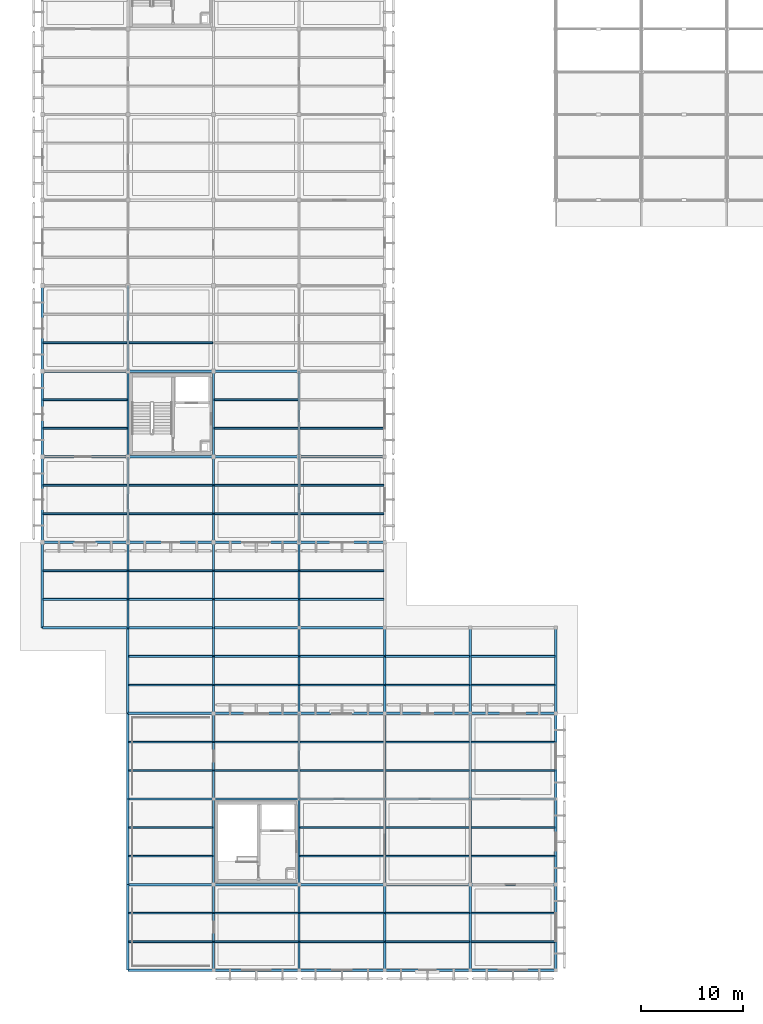
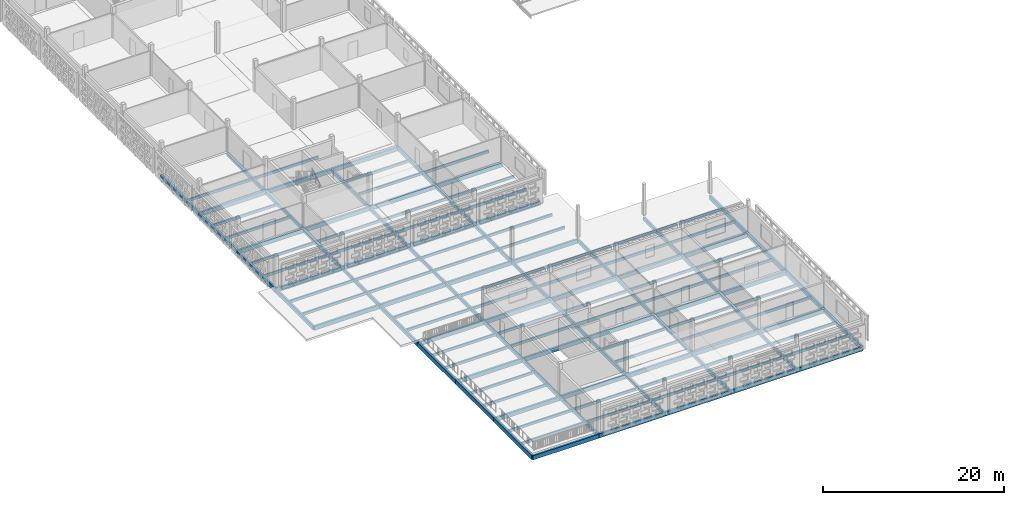
# One storey, part 4 of 103: 134 beams.
"""IFC4 building model written with IfcOpenShell, lengths in metres."""

import ifcopenshell
import ifcopenshell.guid

model = None  # the IFC model being written
_history = None  # IfcOwnerHistory: only IFC2X3 demands one
_inside = {}  # id of a spatial element -> (the spatial element, [elements in it])
_under = {}  # id of a project, library or spatial element -> (it, [spatial elements below it])
_declared = {}  # id of a project -> (the project, [libraries it declares])
_typed = {}  # id of a type object -> (the type object, [elements of that type])
_made_of = {}  # id of a material, layer set ... -> (it, [elements and type objects made of it])


def new_model(schema):
    """Start an empty IFC model of exactly this schema.

    Asked for "IFC4X3", IfcOpenShell would pick the latest addendum, in which some entities
    have other attributes; the version numbers below select the first issue.
    IFC2X3 requires an IfcOwnerHistory on every rooted entity: one is made here for all.
    """
    global model, _history
    if schema == "IFC4X3":
        model = ifcopenshell.file(schema_version=(4, 3, 0, 0))
    else:
        model = ifcopenshell.file(schema=schema)
    _inside.clear()
    _under.clear()
    _declared.clear()
    _typed.clear()
    _made_of.clear()
    _history = None
    if model.schema == "IFC2X3":
        org = make("IfcOrganization", Name="unknown")
        user = make(
            "IfcPersonAndOrganization",
            ThePerson=make("IfcPerson", FamilyName="unknown"),
            TheOrganization=org,
        )
        app = make(
            "IfcApplication",
            ApplicationDeveloper=org,
            Version="unknown",
            ApplicationFullName="unknown",
            ApplicationIdentifier="unknown",
        )
        _history = make(
            "IfcOwnerHistory",
            OwningUser=user,
            OwningApplication=app,
            ChangeAction="ADDED",
            CreationDate=0,
        )
    return model


def make(cls, **values):
    """One entity of the class cls with the attributes given. An attribute that is None is left unset."""
    return model.create_entity(
        cls, **{name: value for name, value in values.items() if value is not None}
    )


def rooted(cls, **values):
    """An entity with a GlobalId (a new one), such as an element, a storey or a relation."""
    return make(cls, GlobalId=ifcopenshell.guid.new(), OwnerHistory=_history, **values)


def si_unit(unit_type, name, prefix=None):
    """IfcSIUnit, for example si_unit("LENGTHUNIT", "METRE", prefix="MILLI")."""
    return make("IfcSIUnit", UnitType=unit_type, Prefix=prefix, Name=name)


def assignment(units):
    """IfcUnitAssignment: the units of a project."""
    return None if units is None else make("IfcUnitAssignment", Units=units)


def point(xyz):
    """IfcCartesianPoint."""
    return None if xyz is None else make("IfcCartesianPoint", Coordinates=xyz)


def direction(xyz):
    """IfcDirection."""
    return None if xyz is None else make("IfcDirection", DirectionRatios=xyz)


def frame(location, z_axis=None, x_axis=None):
    """IfcAxis2Placement3D, a coordinate frame: its origin and axes. An axis left out is left unset."""
    return make(
        "IfcAxis2Placement3D",
        Location=point(location),
        Axis=direction(z_axis),
        RefDirection=direction(x_axis),
    )


def frame_2d(location, x_axis=None):
    """IfcAxis2Placement2D, a coordinate frame in the plane: its origin and x axis."""
    return make(
        "IfcAxis2Placement2D", Location=point(location), RefDirection=direction(x_axis)
    )


def origin():
    """The frame at (0, 0, 0) with its axes left unset."""
    return frame((0.0, 0.0, 0.0))


def origin_2d():
    """The frame at (0, 0) in the plane with its x axis left unset."""
    return frame_2d((0.0, 0.0))


def place(relative_to, where):
    """IfcLocalPlacement: puts the frame where relative to a parent placement (None: the world)."""
    return make(
        "IfcLocalPlacement", PlacementRelTo=relative_to, RelativePlacement=where
    )


def context(
    kind, dimensions, precision=None, world=None, true_north=None, identifier=None
):
    """IfcGeometricRepresentationContext, for example the 3D "Model" context."""
    return make(
        "IfcGeometricRepresentationContext",
        ContextIdentifier=identifier,
        ContextType=kind,
        CoordinateSpaceDimension=dimensions,
        Precision=precision,
        WorldCoordinateSystem=world,
        TrueNorth=true_north,
    )


def subcontext(parent, identifier, kind, view, scale=None):
    """IfcGeometricRepresentationSubContext, for example "Body" below "Model"."""
    return make(
        "IfcGeometricRepresentationSubContext",
        ContextIdentifier=identifier,
        ContextType=kind,
        ParentContext=parent,
        TargetScale=scale,
        TargetView=view,
    )


def project(units=None, contexts=None):
    """IfcProject with its units and contexts."""
    return rooted(
        "IfcProject",
        Name="project",
        RepresentationContexts=contexts,
        UnitsInContext=assignment(units),
    )


def spatial(cls, under=None, at=None, **own):
    """A site, building, storey or space (cls), placed at a placement, below another one or the project."""
    s = rooted(cls, ObjectPlacement=at, **own)
    if under is not None:
        _under.setdefault(under.id(), (under, []))[1].append(s)
    return s


def profile(cls, at=None, kind="AREA", **sizes):
    """A parametric profile (cls). Its sizes go by their IFC names, for example OverallWidth=200.0."""
    return make(cls, ProfileType=kind, Position=at, **sizes)


def rectangle(**sizes):
    """IfcRectangleProfileDef."""
    return profile("IfcRectangleProfileDef", **sizes)


def extrude(swept, where, along, depth):
    """IfcExtrudedAreaSolid: the profile swept, set in the frame where, extruded along a direction by depth."""
    return make(
        "IfcExtrudedAreaSolid",
        SweptArea=swept,
        Position=where,
        ExtrudedDirection=direction(along),
        Depth=depth,
    )


def shape(context_of_items, identifier, shape_type, items):
    """IfcShapeRepresentation: the items that make up one representation, for example the "Body"."""
    return make(
        "IfcShapeRepresentation",
        ContextOfItems=context_of_items,
        RepresentationIdentifier=identifier,
        RepresentationType=shape_type,
        Items=items,
    )


def material(Name=None, Category=None):
    """IfcMaterial."""
    return make("IfcMaterial", Name=Name, Category=Category)


def material_profile(
    of_material, cross_section, Name=None, Category=None, Priority=None
):
    """IfcMaterialProfile: a cross section and its material."""
    return make(
        "IfcMaterialProfile",
        Name=Name,
        Material=of_material,
        Profile=cross_section,
        Priority=Priority,
        Category=Category,
    )


def profile_set(profiles, Name=None, composite=None):
    """IfcMaterialProfileSet."""
    return make(
        "IfcMaterialProfileSet",
        Name=Name,
        MaterialProfiles=profiles,
        CompositeProfile=composite,
    )


def made_of(thing, what):
    """Note that an element or type object is made of a material, layer set ...; save() writes the relation."""
    if what is not None:
        _made_of.setdefault(what.id(), (what, []))[1].append(thing)
    return thing


def type_object(cls, material=None, **own):
    """A type object (cls), such as IfcWallType, which elements share."""
    return made_of(rooted(cls, **own), material)


def element(
    cls,
    number,
    at=None,
    inside=None,
    cuts=None,
    type_object=None,
    material=None,
    context=None,
    identifier="Body",
    shape_type=None,
    held_by="IfcProductDefinitionShape",
    body=None,
    shapes=None,
    **own,
):
    """One element of the class cls, such as IfcWall. Its Tag is "e" and its number.

    at: its placement. inside: the storey or other place that contains it. cuts: it is an
    opening in that element (IfcRelVoidsElement). A single representation is given by context,
    identifier, shape_type and body (its items); several are given by shapes. held_by: the class
    of the entity that holds the representations. save() writes the other relations.
    """
    e = rooted(cls, Tag="e%d" % number, ObjectPlacement=at, **own)
    if body is not None:
        shapes = [shape(context, identifier, shape_type, body)]
    if shapes is not None:
        e.Representation = make(held_by, Representations=shapes)
    if inside is not None:
        _inside.setdefault(inside.id(), (inside, []))[1].append(e)
    if cuts is not None:
        rooted(
            "IfcRelVoidsElement", RelatingBuildingElement=cuts, RelatedOpeningElement=e
        )
    if type_object is not None:
        _typed.setdefault(type_object.id(), (type_object, []))[1].append(e)
    return made_of(e, material)


def aggregate(whole, parts):
    """IfcRelAggregates: a whole, such as a stair, and the parts it consists of."""
    return rooted("IfcRelAggregates", RelatingObject=whole, RelatedObjects=parts)


def save(model, path):
    """Write the relations noted so far, then the file.

    IfcRelAggregates (storeys below a building ...), IfcRelContainedInSpatialStructure (elements
    in a storey), IfcRelDefinesByType, IfcRelAssociatesMaterial and IfcRelDeclares: one each for
    every whole, place, type object, material and project.
    """
    for whole, parts in _under.values():
        aggregate(whole, parts)
    for where, things in _inside.values():
        rooted(
            "IfcRelContainedInSpatialStructure",
            RelatedElements=things,
            RelatingStructure=where,
        )
    for kind, things in _typed.values():
        rooted("IfcRelDefinesByType", RelatedObjects=things, RelatingType=kind)
    for what, things in _made_of.values():
        rooted("IfcRelAssociatesMaterial", RelatedObjects=things, RelatingMaterial=what)
    for by, libraries in _declared.values():
        rooted("IfcRelDeclares", RelatingContext=by, RelatedDefinitions=libraries)
    model.write(path)


model = new_model("IFC4")

# Units and contexts
model_context = context("Model", 3, precision=1e-05, world=origin(), true_north=direction((0.0, 1.0)))
body_context = subcontext(model_context, "Body", "Model", "MODEL_VIEW")
ifc_project = project(units=[si_unit("LENGTHUNIT", "METRE"), si_unit("AREAUNIT", "SQUARE_METRE"), si_unit("VOLUMEUNIT", "CUBIC_METRE"), si_unit("PLANEANGLEUNIT", "RADIAN"), si_unit("MASSUNIT", "GRAM", prefix="KILO")], contexts=[model_context])

# Site, building, storey
site_placement = place(None, origin())
site = spatial("IfcSite", under=ifc_project, at=site_placement, CompositionType="ELEMENT")
building_placement = place(site_placement, origin())
building = spatial("IfcBuilding", under=site, at=building_placement, Name="Varnapada Polytechnic", CompositionType="ELEMENT")
storey_placement = place(building_placement, frame((0.0, 0.0, 18.0)))
storey = spatial("IfcBuildingStorey", under=building, at=storey_placement, Name="L04", CompositionType="ELEMENT", Elevation=18.0)

# Beams
ifc_material = material(Name="Glulam GL32h", Category="wood")
ifc_material_profile_1 = material_profile(ifc_material, rectangle(XDim=0.239990234375, YDim=0.56005859375, at=origin_2d()), Name="GL 240x560")
ifc_profile_set_1 = profile_set([ifc_material_profile_1], Name="Glulam GL32h")
beam_type_1 = type_object("IfcBeamType", Name="Perimeter glulam spandrel beam SP-02 (GL 240x560)", PredefinedType="SPANDREL", material=ifc_profile_set_1)
beam_1_placement = place(storey_placement, frame((0.0, 42.0, -0.550048828125), z_axis=(1.0, 0.0, 0.0), x_axis=(0.0, 1.0, 0.0)))
element("IfcBeam", 1, at=beam_1_placement, inside=storey, type_object=beam_type_1, Name="L04 beam X 1-2 at Y6", PredefinedType="SPANDREL", context=body_context, shape_type="SweptSolid", body=[
    extrude(rectangle(XDim=0.239990234375, YDim=0.56005859375, at=origin_2d()), origin(), (0.0, 0.0, 1.0), 8.39990234375),
])
beam_2_placement = place(storey_placement, frame((8.39990234375, 8.39990234375, -0.550048828125), z_axis=(1.0, 0.0, 0.0), x_axis=(0.0, 1.0, 0.0)))
element("IfcBeam", 2, at=beam_2_placement, inside=storey, type_object=beam_type_1, Name="L04 beam X 2-3 at Y2", PredefinedType="SPANDREL", context=body_context, shape_type="SweptSolid", body=[
    extrude(rectangle(XDim=0.239990234375, YDim=0.56005859375, at=origin_2d()), origin(), (0.0, 0.0, 1.0), 8.400146484375),
])
beam_3_placement = place(storey_placement, frame((16.800048828125, 8.39990234375, -0.550048828125), z_axis=(1.0, 0.0, 0.0), x_axis=(0.0, 1.0, 0.0)))
element("IfcBeam", 3, at=beam_3_placement, inside=storey, type_object=beam_type_1, Name="L04 beam X 3-4 at Y2", PredefinedType="SPANDREL", context=body_context, shape_type="SweptSolid", body=[
    extrude(rectangle(XDim=0.239990234375, YDim=0.56005859375, at=origin_2d()), origin(), (0.0, 0.0, 1.0), 8.39990234375),
])
beam_4_placement = place(storey_placement, frame((25.199951171875, 8.39990234375, -0.550048828125), z_axis=(1.0, 0.0, 0.0), x_axis=(0.0, 1.0, 0.0)))
element("IfcBeam", 4, at=beam_4_placement, inside=storey, type_object=beam_type_1, Name="L04 beam X 4-5 at Y2", PredefinedType="SPANDREL", context=body_context, shape_type="SweptSolid", body=[
    extrude(rectangle(XDim=0.239990234375, YDim=0.56005859375, at=origin_2d()), origin(), (0.0, 0.0, 1.0), 8.400146484375),
])
for number, where, z_axis, x_axis, name in (
    (5, (33.60009765625, 8.39990234375, -0.550048828125), (1.0, 0.0, 0.0), (0.0, 1.0, 0.0), "L04 beam X 5-6 at Y2"),
    (6, (42.0, 8.39990234375, -0.550048828125), (1.0, 0.0, 0.0), (0.0, 1.0, 0.0), "L04 beam X 6-7 at Y2"),
    (7, (0.0, 42.0, -0.550048828125), (0.0, 1.0, 0.0), (-1.0, 0.0, 0.0), "L04 beam Y 6-7 at X1"),
):
    element("IfcBeam", number, at=place(storey_placement, frame(where, z_axis=z_axis, x_axis=x_axis)), inside=storey, type_object=beam_type_1, Name=name, PredefinedType="SPANDREL", context=body_context, shape_type="SweptSolid", body=[
        extrude(rectangle(XDim=0.239990234375, YDim=0.56005859375, at=origin_2d()), origin(), (0.0, 0.0, 1.0), 8.39990234375),
    ])
beam_5_placement = place(storey_placement, frame((0.0, 50.39990234375, -0.550048828125), z_axis=(0.0, 1.0, 0.0), x_axis=(-1.0, 0.0, 0.0)))
element("IfcBeam", 8, at=beam_5_placement, inside=storey, type_object=beam_type_1, Name="L04 beam Y 7-8 at X1", PredefinedType="SPANDREL", context=body_context, shape_type="SweptSolid", body=[
    extrude(rectangle(XDim=0.239990234375, YDim=0.56005859375, at=origin_2d()), origin(), (0.0, 0.0, 1.0), 8.400146484375),
])
beam_6_placement = place(storey_placement, frame((0.0, 58.800048828125, -0.5), z_axis=(0.0, 1.0, 0.0), x_axis=(-1.0, 0.0, 0.0)))
element("IfcBeam", 9, at=beam_6_placement, inside=storey, type_object=beam_type_1, Name="L04 beam Y 8-9 at X1", PredefinedType="SPANDREL", context=body_context, shape_type="SweptSolid", body=[
    extrude(rectangle(XDim=0.239990234375, YDim=0.56005859375, at=origin_2d()), origin(), (0.0, 0.0, 1.0), 8.39990234375),
])
for number, where, z_axis, x_axis, name in (
    (10, (0.0, 67.199951171875, -0.5), (0.0, 1.0, 0.0), (-1.0, 0.0, 0.0), "L04 beam Y 9-10 at X1"),
    (11, (8.39990234375, 8.39990234375, -0.510009765625), (0.0, 1.0, 0.0), (-1.0, 0.0, 0.0), "L04 beam Y 2-3 at X2"),
):
    element("IfcBeam", number, at=place(storey_placement, frame(where, z_axis=z_axis, x_axis=x_axis)), inside=storey, type_object=beam_type_1, Name=name, PredefinedType="SPANDREL", context=body_context, shape_type="SweptSolid", body=[
        extrude(rectangle(XDim=0.239990234375, YDim=0.56005859375, at=origin_2d()), origin(), (0.0, 0.0, 1.0), 8.400146484375),
    ])
beam_7_placement = place(storey_placement, frame((8.39990234375, 16.800048828125, -0.510009765625), z_axis=(0.0, 1.0, 0.0), x_axis=(-1.0, 0.0, 0.0)))
element("IfcBeam", 12, at=beam_7_placement, inside=storey, type_object=beam_type_1, Name="L04 beam Y 3-4 at X2", PredefinedType="SPANDREL", context=body_context, shape_type="SweptSolid", body=[
    extrude(rectangle(XDim=0.239990234375, YDim=0.56005859375, at=origin_2d()), origin(), (0.0, 0.0, 1.0), 8.39990234375),
])
beam_8_placement = place(storey_placement, frame((8.39990234375, 25.199951171875, -0.550048828125), z_axis=(0.0, 1.0, 0.0), x_axis=(-1.0, 0.0, 0.0)))
element("IfcBeam", 13, at=beam_8_placement, inside=storey, type_object=beam_type_1, Name="L04 beam Y 4-5 at X2", PredefinedType="SPANDREL", context=body_context, shape_type="SweptSolid", body=[
    extrude(rectangle(XDim=0.239990234375, YDim=0.56005859375, at=origin_2d()), origin(), (0.0, 0.0, 1.0), 8.400146484375),
])
beam_9_placement = place(storey_placement, frame((8.39990234375, 33.60009765625, -0.550048828125), z_axis=(0.0, 1.0, 0.0), x_axis=(-1.0, 0.0, 0.0)))
element("IfcBeam", 14, at=beam_9_placement, inside=storey, type_object=beam_type_1, Name="L04 beam Y 5-6 at X2", PredefinedType="SPANDREL", context=body_context, shape_type="SweptSolid", body=[
    extrude(rectangle(XDim=0.239990234375, YDim=0.56005859375, at=origin_2d()), origin(), (0.0, 0.0, 1.0), 8.39990234375),
])
beam_10_placement = place(storey_placement, frame((50.39990234375, 8.39990234375, -0.550048828125), z_axis=(0.0, 1.0, 0.0), x_axis=(-1.0, 0.0, 0.0)))
element("IfcBeam", 15, at=beam_10_placement, inside=storey, type_object=beam_type_1, Name="L04 beam Y 2-3 at X7", PredefinedType="SPANDREL", context=body_context, shape_type="SweptSolid", body=[
    extrude(rectangle(XDim=0.239990234375, YDim=0.56005859375, at=origin_2d()), origin(), (0.0, 0.0, 1.0), 8.400146484375),
])
beam_11_placement = place(storey_placement, frame((50.39990234375, 16.800048828125, -0.550048828125), z_axis=(0.0, 1.0, 0.0), x_axis=(-1.0, 0.0, 0.0)))
element("IfcBeam", 16, at=beam_11_placement, inside=storey, type_object=beam_type_1, Name="L04 beam Y 3-4 at X7", PredefinedType="SPANDREL", context=body_context, shape_type="SweptSolid", body=[
    extrude(rectangle(XDim=0.239990234375, YDim=0.56005859375, at=origin_2d()), origin(), (0.0, 0.0, 1.0), 8.39990234375),
])
beam_12_placement = place(storey_placement, frame((50.39990234375, 25.199951171875, -0.550048828125), z_axis=(0.0, 1.0, 0.0), x_axis=(-1.0, 0.0, 0.0)))
element("IfcBeam", 17, at=beam_12_placement, inside=storey, type_object=beam_type_1, Name="L04 beam Y 4-5 at X7", PredefinedType="SPANDREL", context=body_context, shape_type="SweptSolid", body=[
    extrude(rectangle(XDim=0.239990234375, YDim=0.56005859375, at=origin_2d()), origin(), (0.0, 0.0, 1.0), 8.400146484375),
])
beam_13_placement = place(storey_placement, frame((50.39990234375, 33.60009765625, -0.550048828125), z_axis=(0.0, 1.0, 0.0), x_axis=(-1.0, 0.0, 0.0)))
element("IfcBeam", 18, at=beam_13_placement, inside=storey, type_object=beam_type_1, Name="L04 beam Y 5-6 at X7", PredefinedType="SPANDREL", context=body_context, shape_type="SweptSolid", body=[
    extrude(rectangle(XDim=0.239990234375, YDim=0.56005859375, at=origin_2d()), origin(), (0.0, 0.0, 1.0), 8.39990234375),
])
ifc_material_profile_2 = material_profile(ifc_material, rectangle(XDim=0.239990234375, YDim=0.56005859375, at=origin_2d()), Name="GL 240x560")
ifc_profile_set_2 = profile_set([ifc_material_profile_2], Name="Glulam GL32h")
beam_type_2 = type_object("IfcBeamType", Name="Studio primary glulam girder GG-03 (GL 240x560)", PredefinedType="BEAM", material=ifc_profile_set_2)
for number, where, z_axis, x_axis, name in (
    (19, (0.0, 50.39990234375, -0.550048828125), (1.0, 0.0, 0.0), (0.0, 1.0, 0.0), "L04 beam X 1-2 at Y7"),
    (20, (0.0, 58.800048828125, -0.5), (1.0, 0.0, 0.0), (0.0, 1.0, 0.0), "L04 beam X 1-2 at Y8"),
    (21, (0.0, 67.199951171875, -0.5), (1.0, 0.0, 0.0), (0.0, 1.0, 0.0), "L04 beam X 1-2 at Y9"),
):
    element("IfcBeam", number, at=place(storey_placement, frame(where, z_axis=z_axis, x_axis=x_axis)), inside=storey, type_object=beam_type_2, Name=name, PredefinedType="BEAM", context=body_context, shape_type="SweptSolid", body=[
        extrude(rectangle(XDim=0.239990234375, YDim=0.56005859375, at=origin_2d()), origin(), (0.0, 0.0, 1.0), 8.39990234375),
    ])
for number, where, z_axis, x_axis, name in (
    (22, (8.39990234375, 16.800048828125, -0.550048828125), (1.0, 0.0, 0.0), (0.0, 1.0, 0.0), "L04 beam X 2-3 at Y3"),
    (23, (8.39990234375, 25.199951171875, -0.550048828125), (1.0, 0.0, 0.0), (0.0, 1.0, 0.0), "L04 beam X 2-3 at Y4"),
    (24, (8.39990234375, 33.60009765625, -0.550048828125), (1.0, 0.0, 0.0), (0.0, 1.0, 0.0), "L04 beam X 2-3 at Y5"),
    (25, (8.39990234375, 42.0, -0.550048828125), (1.0, 0.0, 0.0), (0.0, 1.0, 0.0), "L04 beam X 2-3 at Y6"),
    (26, (8.39990234375, 50.39990234375, -0.550048828125), (1.0, 0.0, 0.0), (0.0, 1.0, 0.0), "L04 beam X 2-3 at Y7"),
    (27, (8.39990234375, 58.800048828125, -0.5), (1.0, 0.0, 0.0), (0.0, 1.0, 0.0), "L04 beam X 2-3 at Y8"),
    (28, (8.39990234375, 67.199951171875, -0.5), (1.0, 0.0, 0.0), (0.0, 1.0, 0.0), "L04 beam X 2-3 at Y9"),
):
    element("IfcBeam", number, at=place(storey_placement, frame(where, z_axis=z_axis, x_axis=x_axis)), inside=storey, type_object=beam_type_2, Name=name, PredefinedType="BEAM", context=body_context, shape_type="SweptSolid", body=[
        extrude(rectangle(XDim=0.239990234375, YDim=0.56005859375, at=origin_2d()), origin(), (0.0, 0.0, 1.0), 8.400146484375),
    ])
for number, where, z_axis, x_axis, name in (
    (29, (16.800048828125, 16.800048828125, -0.550048828125), (1.0, 0.0, 0.0), (0.0, 1.0, 0.0), "L04 beam X 3-4 at Y3"),
    (30, (16.800048828125, 25.199951171875, -0.550048828125), (1.0, 0.0, 0.0), (0.0, 1.0, 0.0), "L04 beam X 3-4 at Y4"),
    (31, (16.800048828125, 33.60009765625, -0.550048828125), (1.0, 0.0, 0.0), (0.0, 1.0, 0.0), "L04 beam X 3-4 at Y5"),
    (32, (16.800048828125, 42.0, -0.550048828125), (1.0, 0.0, 0.0), (0.0, 1.0, 0.0), "L04 beam X 3-4 at Y6"),
    (33, (16.800048828125, 50.39990234375, -0.550048828125), (1.0, 0.0, 0.0), (0.0, 1.0, 0.0), "L04 beam X 3-4 at Y7"),
    (34, (16.800048828125, 58.800048828125, -0.5), (1.0, 0.0, 0.0), (0.0, 1.0, 0.0), "L04 beam X 3-4 at Y8"),
    (35, (16.800048828125, 67.199951171875, -0.5), (1.0, 0.0, 0.0), (0.0, 1.0, 0.0), "L04 beam X 3-4 at Y9"),
):
    element("IfcBeam", number, at=place(storey_placement, frame(where, z_axis=z_axis, x_axis=x_axis)), inside=storey, type_object=beam_type_2, Name=name, PredefinedType="BEAM", context=body_context, shape_type="SweptSolid", body=[
        extrude(rectangle(XDim=0.239990234375, YDim=0.56005859375, at=origin_2d()), origin(), (0.0, 0.0, 1.0), 8.39990234375),
    ])
for number, where, z_axis, x_axis, name in (
    (36, (25.199951171875, 16.800048828125, -0.550048828125), (1.0, 0.0, 0.0), (0.0, 1.0, 0.0), "L04 beam X 4-5 at Y3"),
    (37, (25.199951171875, 25.199951171875, -0.550048828125), (1.0, 0.0, 0.0), (0.0, 1.0, 0.0), "L04 beam X 4-5 at Y4"),
    (38, (25.199951171875, 33.60009765625, -0.550048828125), (1.0, 0.0, 0.0), (0.0, 1.0, 0.0), "L04 beam X 4-5 at Y5"),
    (39, (25.199951171875, 42.0, -0.550048828125), (1.0, 0.0, 0.0), (0.0, 1.0, 0.0), "L04 beam X 4-5 at Y6"),
    (40, (25.199951171875, 50.39990234375, -0.550048828125), (1.0, 0.0, 0.0), (0.0, 1.0, 0.0), "L04 beam X 4-5 at Y7"),
    (41, (25.199951171875, 58.800048828125, -0.5), (1.0, 0.0, 0.0), (0.0, 1.0, 0.0), "L04 beam X 4-5 at Y8"),
):
    element("IfcBeam", number, at=place(storey_placement, frame(where, z_axis=z_axis, x_axis=x_axis)), inside=storey, type_object=beam_type_2, Name=name, PredefinedType="BEAM", context=body_context, shape_type="SweptSolid", body=[
        extrude(rectangle(XDim=0.239990234375, YDim=0.56005859375, at=origin_2d()), origin(), (0.0, 0.0, 1.0), 8.400146484375),
    ])
for number, where, z_axis, x_axis, name in (
    (42, (33.60009765625, 16.800048828125, -0.550048828125), (1.0, 0.0, 0.0), (0.0, 1.0, 0.0), "L04 beam X 5-6 at Y3"),
    (43, (33.60009765625, 25.199951171875, -0.550048828125), (1.0, 0.0, 0.0), (0.0, 1.0, 0.0), "L04 beam X 5-6 at Y4"),
    (44, (33.60009765625, 33.60009765625, -0.550048828125), (1.0, 0.0, 0.0), (0.0, 1.0, 0.0), "L04 beam X 5-6 at Y5"),
    (45, (42.0, 16.800048828125, -0.550048828125), (1.0, 0.0, 0.0), (0.0, 1.0, 0.0), "L04 beam X 6-7 at Y3"),
    (46, (42.0, 25.199951171875, -0.550048828125), (1.0, 0.0, 0.0), (0.0, 1.0, 0.0), "L04 beam X 6-7 at Y4"),
    (47, (42.0, 33.60009765625, -0.550048828125), (1.0, 0.0, 0.0), (0.0, 1.0, 0.0), "L04 beam X 6-7 at Y5"),
):
    element("IfcBeam", number, at=place(storey_placement, frame(where, z_axis=z_axis, x_axis=x_axis)), inside=storey, type_object=beam_type_2, Name=name, PredefinedType="BEAM", context=body_context, shape_type="SweptSolid", body=[
        extrude(rectangle(XDim=0.239990234375, YDim=0.56005859375, at=origin_2d()), origin(), (0.0, 0.0, 1.0), 8.39990234375),
    ])
ifc_material_profile_3 = material_profile(ifc_material, rectangle(XDim=0.179931640625, YDim=0.360107421875, at=origin_2d()), Name="GL 180x360")
ifc_profile_set_3 = profile_set([ifc_material_profile_3], Name="Glulam GL32h")
beam_type_3 = type_object("IfcBeamType", Name="Studio/seminar glulam floor joist GJ-02 (GL 180x360)", PredefinedType="JOIST", material=ifc_profile_set_3)
for number, where, z_axis, x_axis, name in (
    (48, (0.080078125, 44.800048828125, -0.449951171875), (1.0, 0.0, 0.0), (0.0, 1.0, 0.0), "L04 floor joist 1/6.1"),
    (49, (0.080078125, 47.60009765625, -0.449951171875), (1.0, 0.0, 0.0), (0.0, 1.0, 0.0), "L04 floor joist 1/6.2"),
    (50, (0.080078125, 53.199951171875, -0.39990234375), (1.0, 0.0, 0.0), (0.0, 1.0, 0.0), "L04 floor joist 1/7.1"),
    (51, (0.080078125, 56.0, -0.39990234375), (1.0, 0.0, 0.0), (0.0, 1.0, 0.0), "L04 floor joist 1/7.2"),
    (52, (0.080078125, 61.60009765625, -0.39990234375), (1.0, 0.0, 0.0), (0.0, 1.0, 0.0), "L04 floor joist 1/8.1"),
    (53, (0.080078125, 64.39990234375, -0.39990234375), (1.0, 0.0, 0.0), (0.0, 1.0, 0.0), "L04 floor joist 1/8.2"),
    (54, (0.080078125, 70.0, -0.39990234375), (1.0, 0.0, 0.0), (0.0, 1.0, 0.0), "L04 floor joist 1/9.1"),
    (55, (8.47998046875, 11.199951171875, -0.449951171875), (1.0, 0.0, 0.0), (0.0, 1.0, 0.0), "L04 floor joist 2/2.1"),
    (56, (8.47998046875, 14.0, -0.449951171875), (1.0, 0.0, 0.0), (0.0, 1.0, 0.0), "L04 floor joist 2/2.2"),
    (57, (8.47998046875, 19.60009765625, -0.449951171875), (1.0, 0.0, 0.0), (0.0, 1.0, 0.0), "L04 floor joist 2/3.1"),
    (58, (8.47998046875, 22.39990234375, -0.449951171875), (1.0, 0.0, 0.0), (0.0, 1.0, 0.0), "L04 floor joist 2/3.2"),
    (59, (8.47998046875, 28.0, -0.449951171875), (1.0, 0.0, 0.0), (0.0, 1.0, 0.0), "L04 floor joist 2/4.1"),
    (60, (8.47998046875, 30.800048828125, -0.449951171875), (1.0, 0.0, 0.0), (0.0, 1.0, 0.0), "L04 floor joist 2/4.2"),
    (61, (8.47998046875, 36.39990234375, -0.449951171875), (1.0, 0.0, 0.0), (0.0, 1.0, 0.0), "L04 floor joist 2/5.1"),
    (62, (8.47998046875, 39.199951171875, -0.449951171875), (1.0, 0.0, 0.0), (0.0, 1.0, 0.0), "L04 floor joist 2/5.2"),
    (63, (8.47998046875, 44.800048828125, -0.449951171875), (1.0, 0.0, 0.0), (0.0, 1.0, 0.0), "L04 floor joist 2/6.1"),
    (64, (8.47998046875, 47.60009765625, -0.449951171875), (1.0, 0.0, 0.0), (0.0, 1.0, 0.0), "L04 floor joist 2/6.2"),
    (65, (8.47998046875, 53.199951171875, -0.39990234375), (1.0, 0.0, 0.0), (0.0, 1.0, 0.0), "L04 floor joist 2/7.1"),
    (66, (8.47998046875, 56.0, -0.39990234375), (1.0, 0.0, 0.0), (0.0, 1.0, 0.0), "L04 floor joist 2/7.2"),
    (67, (8.47998046875, 70.0, -0.39990234375), (1.0, 0.0, 0.0), (0.0, 1.0, 0.0), "L04 floor joist 2/9.1"),
):
    element("IfcBeam", number, at=place(storey_placement, frame(where, z_axis=z_axis, x_axis=x_axis)), inside=storey, type_object=beam_type_3, Name=name, PredefinedType="JOIST", context=body_context, shape_type="SweptSolid", body=[
        extrude(rectangle(XDim=0.179931640625, YDim=0.360107421875, at=origin_2d()), origin(), (0.0, 0.0, 1.0), 8.239990234375),
    ])
for number, where, z_axis, x_axis, name in (
    (68, (16.8798828125, 11.199951171875, -0.449951171875), (1.0, 0.0, 0.0), (0.0, 1.0, 0.0), "L04 floor joist 3/2.1"),
    (69, (16.8798828125, 14.0, -0.449951171875), (1.0, 0.0, 0.0), (0.0, 1.0, 0.0), "L04 floor joist 3/2.2"),
    (70, (16.8798828125, 28.0, -0.449951171875), (1.0, 0.0, 0.0), (0.0, 1.0, 0.0), "L04 floor joist 3/4.1"),
    (71, (16.8798828125, 30.800048828125, -0.449951171875), (1.0, 0.0, 0.0), (0.0, 1.0, 0.0), "L04 floor joist 3/4.2"),
    (72, (16.8798828125, 36.39990234375, -0.449951171875), (1.0, 0.0, 0.0), (0.0, 1.0, 0.0), "L04 floor joist 3/5.1"),
    (73, (16.8798828125, 39.199951171875, -0.449951171875), (1.0, 0.0, 0.0), (0.0, 1.0, 0.0), "L04 floor joist 3/5.2"),
    (74, (16.8798828125, 44.800048828125, -0.449951171875), (1.0, 0.0, 0.0), (0.0, 1.0, 0.0), "L04 floor joist 3/6.1"),
    (75, (16.8798828125, 47.60009765625, -0.449951171875), (1.0, 0.0, 0.0), (0.0, 1.0, 0.0), "L04 floor joist 3/6.2"),
    (76, (16.8798828125, 53.199951171875, -0.39990234375), (1.0, 0.0, 0.0), (0.0, 1.0, 0.0), "L04 floor joist 3/7.1"),
    (77, (16.8798828125, 56.0, -0.39990234375), (1.0, 0.0, 0.0), (0.0, 1.0, 0.0), "L04 floor joist 3/7.2"),
    (78, (16.8798828125, 61.60009765625, -0.39990234375), (1.0, 0.0, 0.0), (0.0, 1.0, 0.0), "L04 floor joist 3/8.1"),
    (79, (16.8798828125, 64.39990234375, -0.39990234375), (1.0, 0.0, 0.0), (0.0, 1.0, 0.0), "L04 floor joist 3/8.2"),
):
    element("IfcBeam", number, at=place(storey_placement, frame(where, z_axis=z_axis, x_axis=x_axis)), inside=storey, type_object=beam_type_3, Name=name, PredefinedType="JOIST", context=body_context, shape_type="SweptSolid", body=[
        extrude(rectangle(XDim=0.179931640625, YDim=0.360107421875, at=origin_2d()), origin(), (0.0, 0.0, 1.0), 8.240234375),
    ])
for number, where, z_axis, x_axis, name in (
    (80, (25.280029296875, 11.199951171875, -0.449951171875), (1.0, 0.0, 0.0), (0.0, 1.0, 0.0), "L04 floor joist 4/2.1"),
    (81, (25.280029296875, 14.0, -0.449951171875), (1.0, 0.0, 0.0), (0.0, 1.0, 0.0), "L04 floor joist 4/2.2"),
    (82, (25.280029296875, 19.60009765625, -0.449951171875), (1.0, 0.0, 0.0), (0.0, 1.0, 0.0), "L04 floor joist 4/3.1"),
    (83, (25.280029296875, 22.39990234375, -0.449951171875), (1.0, 0.0, 0.0), (0.0, 1.0, 0.0), "L04 floor joist 4/3.2"),
    (84, (25.280029296875, 28.0, -0.449951171875), (1.0, 0.0, 0.0), (0.0, 1.0, 0.0), "L04 floor joist 4/4.1"),
    (85, (25.280029296875, 30.800048828125, -0.449951171875), (1.0, 0.0, 0.0), (0.0, 1.0, 0.0), "L04 floor joist 4/4.2"),
    (86, (25.280029296875, 36.39990234375, -0.449951171875), (1.0, 0.0, 0.0), (0.0, 1.0, 0.0), "L04 floor joist 4/5.1"),
    (87, (25.280029296875, 39.199951171875, -0.449951171875), (1.0, 0.0, 0.0), (0.0, 1.0, 0.0), "L04 floor joist 4/5.2"),
    (88, (25.280029296875, 44.800048828125, -0.449951171875), (1.0, 0.0, 0.0), (0.0, 1.0, 0.0), "L04 floor joist 4/6.1"),
    (89, (25.280029296875, 47.60009765625, -0.449951171875), (1.0, 0.0, 0.0), (0.0, 1.0, 0.0), "L04 floor joist 4/6.2"),
    (90, (25.280029296875, 53.199951171875, -0.39990234375), (1.0, 0.0, 0.0), (0.0, 1.0, 0.0), "L04 floor joist 4/7.1"),
    (91, (25.280029296875, 56.0, -0.39990234375), (1.0, 0.0, 0.0), (0.0, 1.0, 0.0), "L04 floor joist 4/7.2"),
    (92, (25.280029296875, 61.60009765625, -0.39990234375), (1.0, 0.0, 0.0), (0.0, 1.0, 0.0), "L04 floor joist 4/8.1"),
    (93, (33.679931640625, 11.199951171875, -0.449951171875), (1.0, 0.0, 0.0), (0.0, 1.0, 0.0), "L04 floor joist 5/2.1"),
    (94, (33.679931640625, 14.0, -0.449951171875), (1.0, 0.0, 0.0), (0.0, 1.0, 0.0), "L04 floor joist 5/2.2"),
    (95, (33.679931640625, 19.60009765625, -0.449951171875), (1.0, 0.0, 0.0), (0.0, 1.0, 0.0), "L04 floor joist 5/3.1"),
    (96, (33.679931640625, 22.39990234375, -0.449951171875), (1.0, 0.0, 0.0), (0.0, 1.0, 0.0), "L04 floor joist 5/3.2"),
    (97, (33.679931640625, 28.0, -0.449951171875), (1.0, 0.0, 0.0), (0.0, 1.0, 0.0), "L04 floor joist 5/4.1"),
    (98, (33.679931640625, 30.800048828125, -0.449951171875), (1.0, 0.0, 0.0), (0.0, 1.0, 0.0), "L04 floor joist 5/4.2"),
    (99, (33.679931640625, 36.39990234375, -0.449951171875), (1.0, 0.0, 0.0), (0.0, 1.0, 0.0), "L04 floor joist 5/5.1"),
    (100, (33.679931640625, 39.199951171875, -0.449951171875), (1.0, 0.0, 0.0), (0.0, 1.0, 0.0), "L04 floor joist 5/5.2"),
    (101, (42.080078125, 11.199951171875, -0.449951171875), (1.0, 0.0, 0.0), (0.0, 1.0, 0.0), "L04 floor joist 6/2.1"),
    (102, (42.080078125, 14.0, -0.449951171875), (1.0, 0.0, 0.0), (0.0, 1.0, 0.0), "L04 floor joist 6/2.2"),
    (103, (42.080078125, 19.60009765625, -0.449951171875), (1.0, 0.0, 0.0), (0.0, 1.0, 0.0), "L04 floor joist 6/3.1"),
    (104, (42.080078125, 22.39990234375, -0.449951171875), (1.0, 0.0, 0.0), (0.0, 1.0, 0.0), "L04 floor joist 6/3.2"),
    (105, (42.080078125, 28.0, -0.449951171875), (1.0, 0.0, 0.0), (0.0, 1.0, 0.0), "L04 floor joist 6/4.1"),
    (106, (42.080078125, 30.800048828125, -0.449951171875), (1.0, 0.0, 0.0), (0.0, 1.0, 0.0), "L04 floor joist 6/4.2"),
    (107, (42.080078125, 36.39990234375, -0.449951171875), (1.0, 0.0, 0.0), (0.0, 1.0, 0.0), "L04 floor joist 6/5.1"),
    (108, (42.080078125, 39.199951171875, -0.449951171875), (1.0, 0.0, 0.0), (0.0, 1.0, 0.0), "L04 floor joist 6/5.2"),
):
    element("IfcBeam", number, at=place(storey_placement, frame(where, z_axis=z_axis, x_axis=x_axis)), inside=storey, type_object=beam_type_3, Name=name, PredefinedType="JOIST", context=body_context, shape_type="SweptSolid", body=[
        extrude(rectangle(XDim=0.179931640625, YDim=0.360107421875, at=origin_2d()), origin(), (0.0, 0.0, 1.0), 8.239990234375),
    ])
ifc_material_profile_4 = material_profile(ifc_material, rectangle(XDim=0.219970703125, YDim=0.47998046875, at=origin_2d()), Name="GL 220x480")
ifc_profile_set_4 = profile_set([ifc_material_profile_4], Name="Glulam GL32h")
beam_type_4 = type_object("IfcBeamType", Name="Upper floor glulam tie beam GB-11 (GL 220x480)", PredefinedType="BEAM", material=ifc_profile_set_4)
beam_14_placement = place(storey_placement, frame((8.39990234375, 42.0, -0.510009765625), z_axis=(0.0, 1.0, 0.0), x_axis=(-1.0, 0.0, 0.0)))
element("IfcBeam", 109, at=beam_14_placement, inside=storey, type_object=beam_type_4, Name="L04 beam Y 6-7 at X2", PredefinedType="BEAM", context=body_context, shape_type="SweptSolid", body=[
    extrude(rectangle(XDim=0.219970703125, YDim=0.47998046875, at=origin_2d()), origin(), (0.0, 0.0, 1.0), 8.39990234375),
])
beam_15_placement = place(storey_placement, frame((8.39990234375, 50.39990234375, -0.510009765625), z_axis=(0.0, 1.0, 0.0), x_axis=(-1.0, 0.0, 0.0)))
element("IfcBeam", 110, at=beam_15_placement, inside=storey, type_object=beam_type_4, Name="L04 beam Y 7-8 at X2", PredefinedType="BEAM", context=body_context, shape_type="SweptSolid", body=[
    extrude(rectangle(XDim=0.219970703125, YDim=0.47998046875, at=origin_2d()), origin(), (0.0, 0.0, 1.0), 8.400146484375),
])
beam_16_placement = place(storey_placement, frame((8.39990234375, 58.800048828125, -0.4599609375), z_axis=(0.0, 1.0, 0.0), x_axis=(-1.0, 0.0, 0.0)))
element("IfcBeam", 111, at=beam_16_placement, inside=storey, type_object=beam_type_4, Name="L04 beam Y 8-9 at X2", PredefinedType="BEAM", context=body_context, shape_type="SweptSolid", body=[
    extrude(rectangle(XDim=0.219970703125, YDim=0.47998046875, at=origin_2d()), origin(), (0.0, 0.0, 1.0), 8.39990234375),
])
for number, where, z_axis, x_axis, name in (
    (112, (8.39990234375, 67.199951171875, -0.4599609375), (0.0, 1.0, 0.0), (-1.0, 0.0, 0.0), "L04 beam Y 9-10 at X2"),
    (113, (16.800048828125, 8.39990234375, -0.510009765625), (0.0, 1.0, 0.0), (-1.0, 0.0, 0.0), "L04 beam Y 2-3 at X3"),
):
    element("IfcBeam", number, at=place(storey_placement, frame(where, z_axis=z_axis, x_axis=x_axis)), inside=storey, type_object=beam_type_4, Name=name, PredefinedType="BEAM", context=body_context, shape_type="SweptSolid", body=[
        extrude(rectangle(XDim=0.219970703125, YDim=0.47998046875, at=origin_2d()), origin(), (0.0, 0.0, 1.0), 8.400146484375),
    ])
beam_17_placement = place(storey_placement, frame((16.800048828125, 16.800048828125, -0.510009765625), z_axis=(0.0, 1.0, 0.0), x_axis=(-1.0, 0.0, 0.0)))
element("IfcBeam", 114, at=beam_17_placement, inside=storey, type_object=beam_type_4, Name="L04 beam Y 3-4 at X3", PredefinedType="BEAM", context=body_context, shape_type="SweptSolid", body=[
    extrude(rectangle(XDim=0.219970703125, YDim=0.47998046875, at=origin_2d()), origin(), (0.0, 0.0, 1.0), 8.39990234375),
])
beam_18_placement = place(storey_placement, frame((16.800048828125, 25.199951171875, -0.510009765625), z_axis=(0.0, 1.0, 0.0), x_axis=(-1.0, 0.0, 0.0)))
element("IfcBeam", 115, at=beam_18_placement, inside=storey, type_object=beam_type_4, Name="L04 beam Y 4-5 at X3", PredefinedType="BEAM", context=body_context, shape_type="SweptSolid", body=[
    extrude(rectangle(XDim=0.219970703125, YDim=0.47998046875, at=origin_2d()), origin(), (0.0, 0.0, 1.0), 8.400146484375),
])
for number, where, z_axis, x_axis, name in (
    (116, (16.800048828125, 33.60009765625, -0.510009765625), (0.0, 1.0, 0.0), (-1.0, 0.0, 0.0), "L04 beam Y 5-6 at X3"),
    (117, (16.800048828125, 42.0, -0.510009765625), (0.0, 1.0, 0.0), (-1.0, 0.0, 0.0), "L04 beam Y 6-7 at X3"),
):
    element("IfcBeam", number, at=place(storey_placement, frame(where, z_axis=z_axis, x_axis=x_axis)), inside=storey, type_object=beam_type_4, Name=name, PredefinedType="BEAM", context=body_context, shape_type="SweptSolid", body=[
        extrude(rectangle(XDim=0.219970703125, YDim=0.47998046875, at=origin_2d()), origin(), (0.0, 0.0, 1.0), 8.39990234375),
    ])
beam_19_placement = place(storey_placement, frame((16.800048828125, 50.39990234375, -0.510009765625), z_axis=(0.0, 1.0, 0.0), x_axis=(-1.0, 0.0, 0.0)))
element("IfcBeam", 118, at=beam_19_placement, inside=storey, type_object=beam_type_4, Name="L04 beam Y 7-8 at X3", PredefinedType="BEAM", context=body_context, shape_type="SweptSolid", body=[
    extrude(rectangle(XDim=0.219970703125, YDim=0.47998046875, at=origin_2d()), origin(), (0.0, 0.0, 1.0), 8.400146484375),
])
beam_20_placement = place(storey_placement, frame((16.800048828125, 58.800048828125, -0.4599609375), z_axis=(0.0, 1.0, 0.0), x_axis=(-1.0, 0.0, 0.0)))
element("IfcBeam", 119, at=beam_20_placement, inside=storey, type_object=beam_type_4, Name="L04 beam Y 8-9 at X3", PredefinedType="BEAM", context=body_context, shape_type="SweptSolid", body=[
    extrude(rectangle(XDim=0.219970703125, YDim=0.47998046875, at=origin_2d()), origin(), (0.0, 0.0, 1.0), 8.39990234375),
])
beam_21_placement = place(storey_placement, frame((25.199951171875, 8.39990234375, -0.510009765625), z_axis=(0.0, 1.0, 0.0), x_axis=(-1.0, 0.0, 0.0)))
element("IfcBeam", 120, at=beam_21_placement, inside=storey, type_object=beam_type_4, Name="L04 beam Y 2-3 at X4", PredefinedType="BEAM", context=body_context, shape_type="SweptSolid", body=[
    extrude(rectangle(XDim=0.219970703125, YDim=0.47998046875, at=origin_2d()), origin(), (0.0, 0.0, 1.0), 8.400146484375),
])
beam_22_placement = place(storey_placement, frame((25.199951171875, 16.800048828125, -0.510009765625), z_axis=(0.0, 1.0, 0.0), x_axis=(-1.0, 0.0, 0.0)))
element("IfcBeam", 121, at=beam_22_placement, inside=storey, type_object=beam_type_4, Name="L04 beam Y 3-4 at X4", PredefinedType="BEAM", context=body_context, shape_type="SweptSolid", body=[
    extrude(rectangle(XDim=0.219970703125, YDim=0.47998046875, at=origin_2d()), origin(), (0.0, 0.0, 1.0), 8.39990234375),
])
beam_23_placement = place(storey_placement, frame((25.199951171875, 25.199951171875, -0.510009765625), z_axis=(0.0, 1.0, 0.0), x_axis=(-1.0, 0.0, 0.0)))
element("IfcBeam", 122, at=beam_23_placement, inside=storey, type_object=beam_type_4, Name="L04 beam Y 4-5 at X4", PredefinedType="BEAM", context=body_context, shape_type="SweptSolid", body=[
    extrude(rectangle(XDim=0.219970703125, YDim=0.47998046875, at=origin_2d()), origin(), (0.0, 0.0, 1.0), 8.400146484375),
])
for number, where, z_axis, x_axis, name in (
    (123, (25.199951171875, 33.60009765625, -0.510009765625), (0.0, 1.0, 0.0), (-1.0, 0.0, 0.0), "L04 beam Y 5-6 at X4"),
    (124, (25.199951171875, 42.0, -0.510009765625), (0.0, 1.0, 0.0), (-1.0, 0.0, 0.0), "L04 beam Y 6-7 at X4"),
):
    element("IfcBeam", number, at=place(storey_placement, frame(where, z_axis=z_axis, x_axis=x_axis)), inside=storey, type_object=beam_type_4, Name=name, PredefinedType="BEAM", context=body_context, shape_type="SweptSolid", body=[
        extrude(rectangle(XDim=0.219970703125, YDim=0.47998046875, at=origin_2d()), origin(), (0.0, 0.0, 1.0), 8.39990234375),
    ])
beam_24_placement = place(storey_placement, frame((25.199951171875, 50.39990234375, -0.510009765625), z_axis=(0.0, 1.0, 0.0), x_axis=(-1.0, 0.0, 0.0)))
element("IfcBeam", 125, at=beam_24_placement, inside=storey, type_object=beam_type_4, Name="L04 beam Y 7-8 at X4", PredefinedType="BEAM", context=body_context, shape_type="SweptSolid", body=[
    extrude(rectangle(XDim=0.219970703125, YDim=0.47998046875, at=origin_2d()), origin(), (0.0, 0.0, 1.0), 8.400146484375),
])
beam_25_placement = place(storey_placement, frame((25.199951171875, 58.800048828125, -0.4599609375), z_axis=(0.0, 1.0, 0.0), x_axis=(-1.0, 0.0, 0.0)))
element("IfcBeam", 126, at=beam_25_placement, inside=storey, type_object=beam_type_4, Name="L04 beam Y 8-9 at X4", PredefinedType="BEAM", context=body_context, shape_type="SweptSolid", body=[
    extrude(rectangle(XDim=0.219970703125, YDim=0.47998046875, at=origin_2d()), origin(), (0.0, 0.0, 1.0), 8.39990234375),
])
beam_26_placement = place(storey_placement, frame((33.60009765625, 8.39990234375, -0.510009765625), z_axis=(0.0, 1.0, 0.0), x_axis=(-1.0, 0.0, 0.0)))
element("IfcBeam", 127, at=beam_26_placement, inside=storey, type_object=beam_type_4, Name="L04 beam Y 2-3 at X5", PredefinedType="BEAM", context=body_context, shape_type="SweptSolid", body=[
    extrude(rectangle(XDim=0.219970703125, YDim=0.47998046875, at=origin_2d()), origin(), (0.0, 0.0, 1.0), 8.400146484375),
])
beam_27_placement = place(storey_placement, frame((33.60009765625, 16.800048828125, -0.510009765625), z_axis=(0.0, 1.0, 0.0), x_axis=(-1.0, 0.0, 0.0)))
element("IfcBeam", 128, at=beam_27_placement, inside=storey, type_object=beam_type_4, Name="L04 beam Y 3-4 at X5", PredefinedType="BEAM", context=body_context, shape_type="SweptSolid", body=[
    extrude(rectangle(XDim=0.219970703125, YDim=0.47998046875, at=origin_2d()), origin(), (0.0, 0.0, 1.0), 8.39990234375),
])
beam_28_placement = place(storey_placement, frame((33.60009765625, 25.199951171875, -0.510009765625), z_axis=(0.0, 1.0, 0.0), x_axis=(-1.0, 0.0, 0.0)))
element("IfcBeam", 129, at=beam_28_placement, inside=storey, type_object=beam_type_4, Name="L04 beam Y 4-5 at X5", PredefinedType="BEAM", context=body_context, shape_type="SweptSolid", body=[
    extrude(rectangle(XDim=0.219970703125, YDim=0.47998046875, at=origin_2d()), origin(), (0.0, 0.0, 1.0), 8.400146484375),
])
beam_29_placement = place(storey_placement, frame((33.60009765625, 33.60009765625, -0.510009765625), z_axis=(0.0, 1.0, 0.0), x_axis=(-1.0, 0.0, 0.0)))
element("IfcBeam", 130, at=beam_29_placement, inside=storey, type_object=beam_type_4, Name="L04 beam Y 5-6 at X5", PredefinedType="BEAM", context=body_context, shape_type="SweptSolid", body=[
    extrude(rectangle(XDim=0.219970703125, YDim=0.47998046875, at=origin_2d()), origin(), (0.0, 0.0, 1.0), 8.39990234375),
])
beam_30_placement = place(storey_placement, frame((42.0, 8.39990234375, -0.510009765625), z_axis=(0.0, 1.0, 0.0), x_axis=(-1.0, 0.0, 0.0)))
element("IfcBeam", 131, at=beam_30_placement, inside=storey, type_object=beam_type_4, Name="L04 beam Y 2-3 at X6", PredefinedType="BEAM", context=body_context, shape_type="SweptSolid", body=[
    extrude(rectangle(XDim=0.219970703125, YDim=0.47998046875, at=origin_2d()), origin(), (0.0, 0.0, 1.0), 8.400146484375),
])
beam_31_placement = place(storey_placement, frame((42.0, 16.800048828125, -0.510009765625), z_axis=(0.0, 1.0, 0.0), x_axis=(-1.0, 0.0, 0.0)))
element("IfcBeam", 132, at=beam_31_placement, inside=storey, type_object=beam_type_4, Name="L04 beam Y 3-4 at X6", PredefinedType="BEAM", context=body_context, shape_type="SweptSolid", body=[
    extrude(rectangle(XDim=0.219970703125, YDim=0.47998046875, at=origin_2d()), origin(), (0.0, 0.0, 1.0), 8.39990234375),
])
beam_32_placement = place(storey_placement, frame((42.0, 25.199951171875, -0.510009765625), z_axis=(0.0, 1.0, 0.0), x_axis=(-1.0, 0.0, 0.0)))
element("IfcBeam", 133, at=beam_32_placement, inside=storey, type_object=beam_type_4, Name="L04 beam Y 4-5 at X6", PredefinedType="BEAM", context=body_context, shape_type="SweptSolid", body=[
    extrude(rectangle(XDim=0.219970703125, YDim=0.47998046875, at=origin_2d()), origin(), (0.0, 0.0, 1.0), 8.400146484375),
])
beam_33_placement = place(storey_placement, frame((42.0, 33.60009765625, -0.510009765625), z_axis=(0.0, 1.0, 0.0), x_axis=(-1.0, 0.0, 0.0)))
element("IfcBeam", 134, at=beam_33_placement, inside=storey, type_object=beam_type_4, Name="L04 beam Y 5-6 at X6", PredefinedType="BEAM", context=body_context, shape_type="SweptSolid", body=[
    extrude(rectangle(XDim=0.219970703125, YDim=0.47998046875, at=origin_2d()), origin(), (0.0, 0.0, 1.0), 8.39990234375),
])

save(model, "model.ifc")
